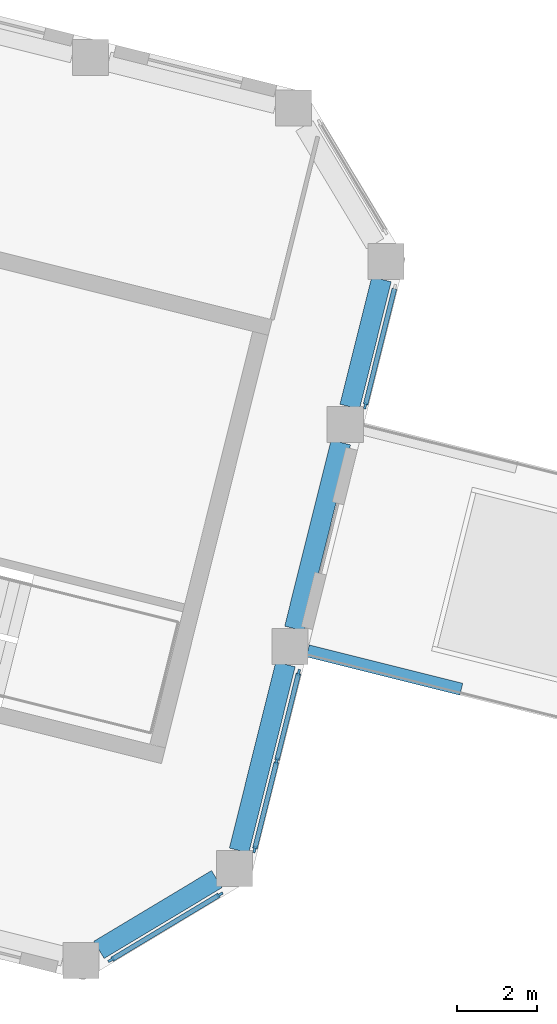
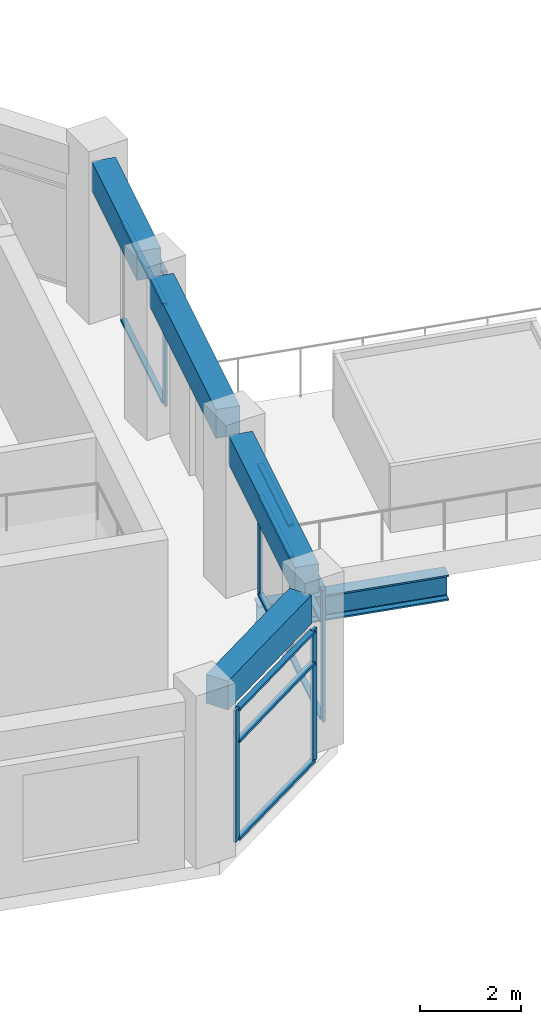
# One storey, part 2 of 13: 18 members, 5 beams, 3 elements without a shape of their own.
"""IFC4 building model written with IfcOpenShell, lengths in metres."""

from ifc_helpers import new_model, si_unit, direction, frame, origin, origin_2d, place, context, subcontext, project, spatial, rectangle, i_section, extrude, material, material_profile, profile_set, type_object, element, aggregate, save


model = new_model("IFC4")

# Units and contexts
model_context = context("Model", 3, precision=1e-05, world=origin(), true_north=direction((0.0, 1.0)))
body_context = subcontext(model_context, "Body", "Model", "MODEL_VIEW")
ifc_project = project(units=[si_unit("LENGTHUNIT", "METRE"), si_unit("AREAUNIT", "SQUARE_METRE"), si_unit("VOLUMEUNIT", "CUBIC_METRE"), si_unit("PLANEANGLEUNIT", "RADIAN"), si_unit("MASSUNIT", "GRAM", prefix="KILO")], contexts=[model_context])

# Site, building, storey
site_placement = place(None, origin())
site = spatial("IfcSite", under=ifc_project, at=site_placement, CompositionType="ELEMENT")
building_placement = place(site_placement, origin())
building = spatial("IfcBuilding", under=site, at=building_placement, Name="Meshkara Civic Tower", CompositionType="ELEMENT")
storey_placement = place(building_placement, frame((0.0, 0.0, 383.39990234375)))
storey = spatial("IfcBuildingStorey", under=building, at=storey_placement, Name="L88", CompositionType="ELEMENT", Elevation=383.39990234375)

# Curtain wall, members
ifc_material_1 = material(Name="Tinted double glazing", Category="glass")
curtain_wall_type = type_object("IfcCurtainWallType", Name="CW POOL PAVILION AND FOYER", PredefinedType="NOTDEFINED", material=ifc_material_1)
curtain_wall_1_placement = place(storey_placement, origin())
curtain_wall_1 = element("IfcCurtainWall", 1, at=curtain_wall_1_placement, inside=storey, type_object=curtain_wall_type, Name="Curtain wall CW4", PredefinedType="NOTDEFINED")
ifc_material_2 = material(Name="Bronze anodised aluminium", Category="aluminium")
ifc_material_profile_1 = material_profile(ifc_material_2, rectangle(XDim=0.06005859375, YDim=0.159912109375, at=origin_2d()))
ifc_profile_set_1 = profile_set([ifc_material_profile_1], Name="Bronze anodised aluminium")
member_type_1 = type_object("IfcMemberType", Name="CW MULLION 60x160", PredefinedType="MULLION", material=ifc_profile_set_1)
member_1_placement = place(storey_placement, frame((55.980712890625, -13.29150390625, 0.0), z_axis=(0.0, 0.0, 1.0), x_axis=(-0.514905740459, 0.85724680136, 0.0)))
member_1 = element("IfcMember", 2, at=member_1_placement, type_object=member_type_1, Name="CW4 mullion 1", PredefinedType="MULLION", context=body_context, shape_type="SweptSolid", body=[
    extrude(rectangle(XDim=0.06005859375, YDim=0.159912109375, at=origin_2d()), origin(), (0.0, 0.0, 1.0), 3.2001953125),
])
member_2_placement = place(storey_placement, frame((58.6962890625, -11.660400390625, 0.0), z_axis=(0.0, 0.0, 1.0), x_axis=(-0.514905740459, 0.85724680136, 0.0)))
member_2 = element("IfcMember", 3, at=member_2_placement, type_object=member_type_1, Name="CW4 mullion 2", PredefinedType="MULLION", context=body_context, shape_type="SweptSolid", body=[
    extrude(rectangle(XDim=0.06005859375, YDim=0.159912109375, at=origin_2d()), origin(), (0.0, 0.0, 1.0), 3.2001953125),
])

curtain_wall_2_placement = place(storey_placement, origin())
curtain_wall_2 = element("IfcCurtainWall", 4, at=curtain_wall_2_placement, inside=storey, type_object=curtain_wall_type, Name="Curtain wall CW4", PredefinedType="NOTDEFINED")
member_3_placement = place(storey_placement, frame((59.559326171875, -10.539794921875, 0.0), z_axis=(0.0, 0.0, 1.0), x_axis=(-0.970244512947, 0.242127208501, 0.0)))
member_3 = element("IfcMember", 5, at=member_3_placement, type_object=member_type_1, Name="CW4 mullion 1", PredefinedType="MULLION", context=body_context, shape_type="SweptSolid", body=[
    extrude(rectangle(XDim=0.06005859375, YDim=0.159912109375, at=origin_2d()), origin(), (0.0, 0.0, 1.0), 3.2001953125),
])
member_4_placement = place(storey_placement, frame((60.110107421875, -8.3330078125, 0.0), z_axis=(0.0, 0.0, 1.0), x_axis=(-0.970244512947, 0.242127208501, 0.0)))
member_4 = element("IfcMember", 6, at=member_4_placement, type_object=member_type_1, Name="CW4 mullion 2", PredefinedType="MULLION", context=body_context, shape_type="SweptSolid", body=[
    extrude(rectangle(XDim=0.06005859375, YDim=0.159912109375, at=origin_2d()), origin(), (0.0, 0.0, 1.0), 3.2001953125),
])
member_5_placement = place(storey_placement, frame((60.66064453125, -6.126220703125, 0.0), z_axis=(0.0, 0.0, 1.0), x_axis=(-0.970244512947, 0.242127208501, 0.0)))
member_5 = element("IfcMember", 7, at=member_5_placement, type_object=member_type_1, Name="CW4 mullion 3", PredefinedType="MULLION", context=body_context, shape_type="SweptSolid", body=[
    extrude(rectangle(XDim=0.06005859375, YDim=0.159912109375, at=origin_2d()), origin(), (0.0, 0.0, 1.0), 3.2001953125),
])

# Curtain wall, member
curtain_wall_3_placement = place(storey_placement, origin())
curtain_wall_3 = element("IfcCurtainWall", 8, at=curtain_wall_3_placement, inside=storey, type_object=curtain_wall_type, Name="Curtain wall CW4", PredefinedType="NOTDEFINED")
member_6_placement = place(storey_placement, frame((62.317138671875, 0.52099609375, 0.0), z_axis=(0.0, 0.0, 1.0), x_axis=(-0.970294309987, 0.241927575952, 0.0)))
member_6 = element("IfcMember", 9, at=member_6_placement, type_object=member_type_1, Name="CW4 mullion 1", PredefinedType="MULLION", context=body_context, shape_type="SweptSolid", body=[
    extrude(rectangle(XDim=0.06005859375, YDim=0.159912109375, at=origin_2d()), origin(), (0.0, 0.0, 1.0), 3.2001953125),
])

# Member
ifc_material_3 = material(Name="Bronze anodised aluminium", Category="aluminium")
ifc_material_profile_2 = material_profile(ifc_material_3, rectangle(XDim=0.1201171875, YDim=0.06005859375, at=origin_2d()))
ifc_profile_set_2 = profile_set([ifc_material_profile_2], Name="Bronze anodised aluminium")
member_type_2 = type_object("IfcMemberType", Name="CW TRANSOM 60x120", PredefinedType="USERDEFINED", material=ifc_profile_set_2)
member_7_placement = place(storey_placement, frame((56.00634765625, -13.276123046875, 0.030029296875), z_axis=(0.857243305201, 0.514911561036, 0.0), x_axis=(-0.514911561036, 0.857243305201, 0.0)))
member_7 = element("IfcMember", 10, at=member_7_placement, type_object=member_type_2, Name="CW4 transom 1.1", ObjectType="TRANSOM", PredefinedType="USERDEFINED", context=body_context, shape_type="SweptSolid", body=[
    extrude(rectangle(XDim=0.1201171875, YDim=0.06005859375, at=origin_2d()), origin(), (0.0, 0.0, 1.0), 3.10791015625),
])

member_8_placement = place(storey_placement, frame((56.00634765625, -13.276123046875, 2.400146484375), z_axis=(0.857243305201, 0.514911561036, 0.0), x_axis=(-0.514911561036, 0.857243305201, 0.0)))
member_8 = element("IfcMember", 11, at=member_8_placement, type_object=member_type_2, Name="CW4 transom 1.2", ObjectType="TRANSOM", PredefinedType="USERDEFINED", context=body_context, shape_type="SweptSolid", body=[
    extrude(rectangle(XDim=0.1201171875, YDim=0.06005859375, at=origin_2d()), origin(), (0.0, 0.0, 1.0), 3.10791015625),
])

member_9_placement = place(storey_placement, frame((56.00634765625, -13.276123046875, 3.170166015625), z_axis=(0.857243305201, 0.514911561036, 0.0), x_axis=(-0.514911561036, 0.857243305201, 0.0)))
member_9 = element("IfcMember", 12, at=member_9_placement, type_object=member_type_2, Name="CW4 transom 1.3", ObjectType="TRANSOM", PredefinedType="USERDEFINED", context=body_context, shape_type="SweptSolid", body=[
    extrude(rectangle(XDim=0.1201171875, YDim=0.06005859375, at=origin_2d()), origin(), (0.0, 0.0, 1.0), 3.10791015625),
])

aggregate(curtain_wall_1, [member_1, member_2, member_7, member_8, member_9])

member_10_placement = place(storey_placement, frame((59.56640625, -10.5107421875, 0.030029296875), z_axis=(0.242198404114, 0.970226743109, 0.0), x_axis=(-0.970226743109, 0.242198404114, 0.0)))
member_10 = element("IfcMember", 13, at=member_10_placement, type_object=member_type_2, Name="CW4 transom 1.1", ObjectType="TRANSOM", PredefinedType="USERDEFINED", context=body_context, shape_type="SweptSolid", body=[
    extrude(rectangle(XDim=0.1201171875, YDim=0.06005859375, at=origin_2d()), origin(), (0.0, 0.0, 1.0), 2.214599609375),
])

member_11_placement = place(storey_placement, frame((59.56640625, -10.5107421875, 2.400146484375), z_axis=(0.242198404114, 0.970226743109, 0.0), x_axis=(-0.970226743109, 0.242198404114, 0.0)))
member_11 = element("IfcMember", 14, at=member_11_placement, type_object=member_type_2, Name="CW4 transom 1.2", ObjectType="TRANSOM", PredefinedType="USERDEFINED", context=body_context, shape_type="SweptSolid", body=[
    extrude(rectangle(XDim=0.1201171875, YDim=0.06005859375, at=origin_2d()), origin(), (0.0, 0.0, 1.0), 2.214599609375),
])

member_12_placement = place(storey_placement, frame((59.56640625, -10.5107421875, 3.170166015625), z_axis=(0.242198404114, 0.970226743109, 0.0), x_axis=(-0.970226743109, 0.242198404114, 0.0)))
member_12 = element("IfcMember", 15, at=member_12_placement, type_object=member_type_2, Name="CW4 transom 1.3", ObjectType="TRANSOM", PredefinedType="USERDEFINED", context=body_context, shape_type="SweptSolid", body=[
    extrude(rectangle(XDim=0.1201171875, YDim=0.06005859375, at=origin_2d()), origin(), (0.0, 0.0, 1.0), 2.214599609375),
])

member_13_placement = place(storey_placement, frame((60.1171875, -8.303955078125, 0.030029296875), z_axis=(0.242198404114, 0.970226743109, 0.0), x_axis=(-0.970226743109, 0.242198404114, 0.0)))
member_13 = element("IfcMember", 16, at=member_13_placement, type_object=member_type_2, Name="CW4 transom 2.1", ObjectType="TRANSOM", PredefinedType="USERDEFINED", context=body_context, shape_type="SweptSolid", body=[
    extrude(rectangle(XDim=0.1201171875, YDim=0.06005859375, at=origin_2d()), origin(), (0.0, 0.0, 1.0), 2.214599609375),
])

member_14_placement = place(storey_placement, frame((60.1171875, -8.303955078125, 2.400146484375), z_axis=(0.242198404114, 0.970226743109, 0.0), x_axis=(-0.970226743109, 0.242198404114, 0.0)))
member_14 = element("IfcMember", 17, at=member_14_placement, type_object=member_type_2, Name="CW4 transom 2.2", ObjectType="TRANSOM", PredefinedType="USERDEFINED", context=body_context, shape_type="SweptSolid", body=[
    extrude(rectangle(XDim=0.1201171875, YDim=0.06005859375, at=origin_2d()), origin(), (0.0, 0.0, 1.0), 2.214599609375),
])

member_15_placement = place(storey_placement, frame((60.1171875, -8.303955078125, 3.170166015625), z_axis=(0.242198404114, 0.970226743109, 0.0), x_axis=(-0.970226743109, 0.242198404114, 0.0)))
member_15 = element("IfcMember", 18, at=member_15_placement, type_object=member_type_2, Name="CW4 transom 2.3", ObjectType="TRANSOM", PredefinedType="USERDEFINED", context=body_context, shape_type="SweptSolid", body=[
    extrude(rectangle(XDim=0.1201171875, YDim=0.06005859375, at=origin_2d()), origin(), (0.0, 0.0, 1.0), 2.214599609375),
])

aggregate(curtain_wall_2, [member_3, member_4, member_5, member_10, member_11, member_12, member_13, member_14, member_15])

member_16_placement = place(storey_placement, frame((62.324462890625, 0.55029296875, 0.030029296875), z_axis=(0.241937166501, 0.970291918685, 0.0), x_axis=(-0.970291918685, 0.241937166501, 0.0)))
member_16 = element("IfcMember", 19, at=member_16_placement, type_object=member_type_2, Name="CW4 transom 1.1", ObjectType="TRANSOM", PredefinedType="USERDEFINED", context=body_context, shape_type="SweptSolid", body=[
    extrude(rectangle(XDim=0.1201171875, YDim=0.06005859375, at=origin_2d()), origin(), (0.0, 0.0, 1.0), 2.975830078125),
])

member_17_placement = place(storey_placement, frame((62.324462890625, 0.55029296875, 2.400146484375), z_axis=(0.241937166501, 0.970291918685, 0.0), x_axis=(-0.970291918685, 0.241937166501, 0.0)))
member_17 = element("IfcMember", 20, at=member_17_placement, type_object=member_type_2, Name="CW4 transom 1.2", ObjectType="TRANSOM", PredefinedType="USERDEFINED", context=body_context, shape_type="SweptSolid", body=[
    extrude(rectangle(XDim=0.1201171875, YDim=0.06005859375, at=origin_2d()), origin(), (0.0, 0.0, 1.0), 2.975830078125),
])

member_18_placement = place(storey_placement, frame((62.324462890625, 0.55029296875, 3.170166015625), z_axis=(0.241937166501, 0.970291918685, 0.0), x_axis=(-0.970291918685, 0.241937166501, 0.0)))
member_18 = element("IfcMember", 21, at=member_18_placement, type_object=member_type_2, Name="CW4 transom 1.3", ObjectType="TRANSOM", PredefinedType="USERDEFINED", context=body_context, shape_type="SweptSolid", body=[
    extrude(rectangle(XDim=0.1201171875, YDim=0.06005859375, at=origin_2d()), origin(), (0.0, 0.0, 1.0), 2.975830078125),
])

aggregate(curtain_wall_3, [member_6, member_16, member_17, member_18])

# Beams
ifc_material_4 = material(Name="Steel S355", Category="steel")
ifc_material_profile_3 = material_profile(ifc_material_4, i_section(OverallWidth=0.304931640625, OverallDepth=0.6201171875, WebThickness=0.02099609375, FlangeThickness=0.0400390625, FilletRadius=0.027099609375, at=origin_2d()))
ifc_profile_set_3 = profile_set([ifc_material_profile_3], Name="Steel S355")
beam_type_1 = type_object("IfcBeamType", Name="Sky pool cantilever girder HEM 600 S355", PredefinedType="BEAM", material=ifc_profile_set_3)
beam_1_placement = place(storey_placement, frame((60.885009765625, -5.589111328125, -0.909912109375), z_axis=(0.970284412359, -0.241967268723, 0.0), x_axis=(0.241967268723, 0.970284412359, 0.0)))
element("IfcBeam", 22, at=beam_1_placement, inside=storey, type_object=beam_type_1, Name="Sky pool cantilever girder", PredefinedType="BEAM", context=body_context, shape_type="SweptSolid", body=[
    extrude(i_section(OverallWidth=0.304931640625, OverallDepth=0.6201171875, WebThickness=0.02099609375, FlangeThickness=0.0400390625, FilletRadius=0.027099609375, at=origin_2d()), origin(), (0.0, 0.0, 1.0), 3.942138671875),
])
ifc_material_5 = material(Name="Concrete C50", Category="concrete")
ifc_material_profile_4 = material_profile(ifc_material_5, rectangle(XDim=0.5, YDim=0.699951171875, at=origin_2d()))
ifc_profile_set_4 = profile_set([ifc_material_profile_4], Name="Concrete C50")
beam_type_2 = type_object("IfcBeamType", Name="Spandrel beam RC 500x700 C50", PredefinedType="BEAM", material=ifc_profile_set_4)
beam_2_placement = place(storey_placement, frame((55.6806640625, -13.040283203125, 3.550048828125), z_axis=(0.857146668312, 0.515072411416, 0.0), x_axis=(-0.515072411416, 0.857146668312, 0.0)))
element("IfcBeam", 23, at=beam_2_placement, inside=storey, type_object=beam_type_2, Name="Spandrel beam BSEP5-BToEP5", PredefinedType="BEAM", context=body_context, shape_type="SweptSolid", body=[
    extrude(rectangle(XDim=0.5, YDim=0.699951171875, at=origin_2d()), origin(), (0.0, 0.0, 1.0), 3.423583984375),
])
beam_3_placement = place(storey_placement, frame((59.172119140625, -10.56396484375, 3.550048828125), z_axis=(0.241899020164, 0.970301429476, 0.0), x_axis=(-0.970301429476, 0.241899020164, 0.0)))
element("IfcBeam", 24, at=beam_3_placement, inside=storey, type_object=beam_type_2, Name="Spandrel beam BT01-P5-BToEP5", PredefinedType="BEAM", context=body_context, shape_type="SweptSolid", body=[
    extrude(rectangle(XDim=0.5, YDim=0.699951171875, at=origin_2d()), origin(), (0.0, 0.0, 1.0), 4.782958984375),
])
beam_4_placement = place(storey_placement, frame((60.551025390625, -5.032958984375, 3.550048828125), z_axis=(0.241946952825, 0.970289478464, 0.0), x_axis=(-0.970289478464, 0.241946952825, 0.0)))
element("IfcBeam", 25, at=beam_4_placement, inside=storey, type_object=beam_type_2, Name="Spandrel beam BT01-P5-BT02-P5", PredefinedType="BEAM", context=body_context, shape_type="SweptSolid", body=[
    extrude(rectangle(XDim=0.5, YDim=0.699951171875, at=origin_2d()), origin(), (0.0, 0.0, 1.0), 4.781982421875),
])
beam_5_placement = place(storey_placement, frame((61.929931640625, 0.4970703125, 3.550048828125), z_axis=(0.241903146974, 0.970300400641, 0.0), x_axis=(-0.970300400641, 0.241903146974, 0.0)))
element("IfcBeam", 26, at=beam_5_placement, inside=storey, type_object=beam_type_2, Name="Spandrel beam BT02-P5-BTEP5", PredefinedType="BEAM", context=body_context, shape_type="SweptSolid", body=[
    extrude(rectangle(XDim=0.5, YDim=0.699951171875, at=origin_2d()), origin(), (0.0, 0.0, 1.0), 3.27001953125),
])

save(model, "model.ifc")
